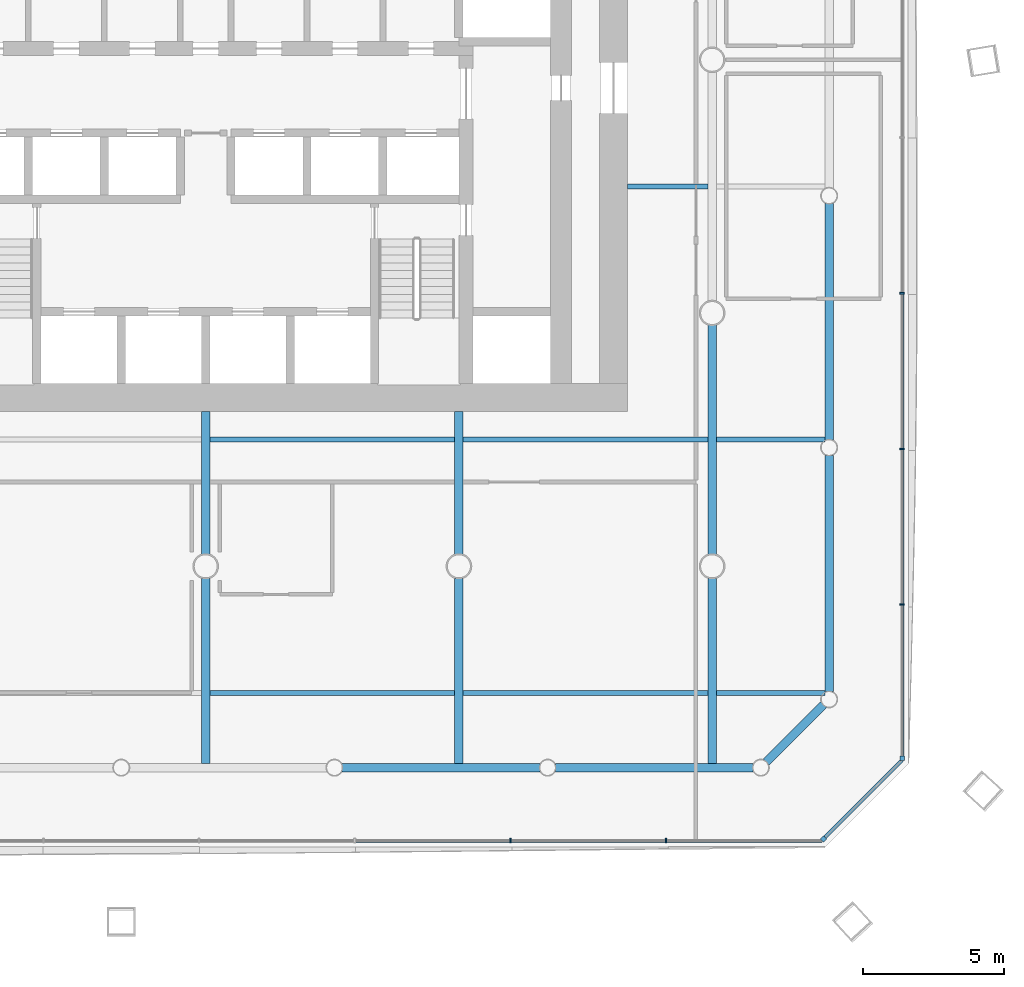
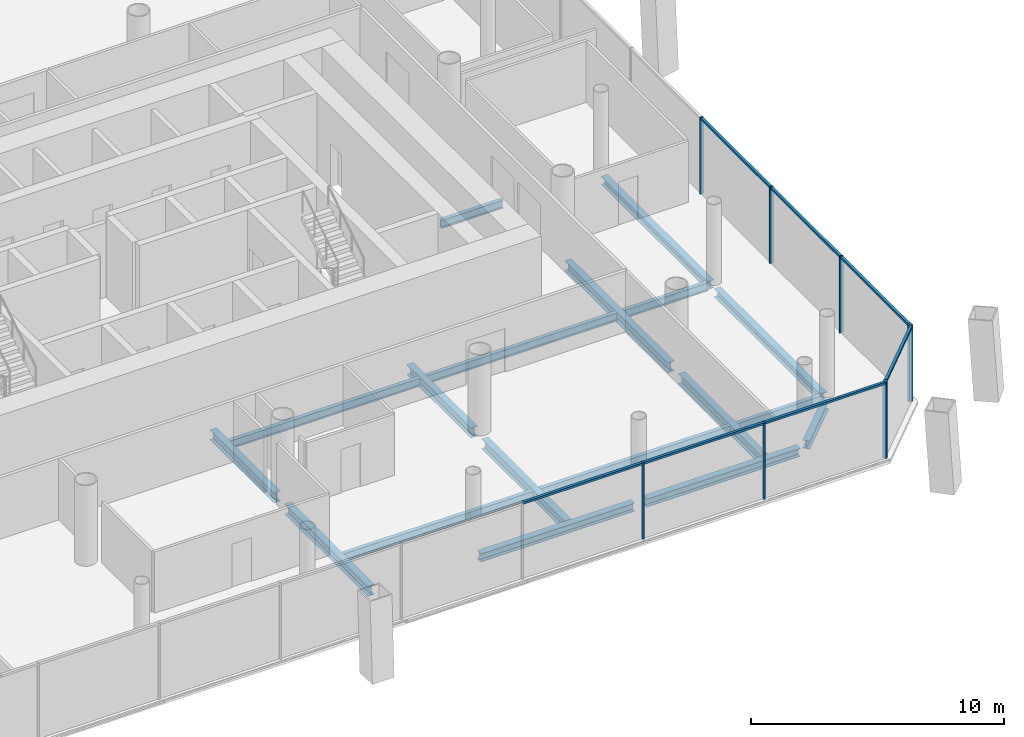
# One storey, part 6 of 23: 18 beams, 14 members, 3 elements without a shape of their own.
"""IFC4 building model written with IfcOpenShell, lengths in metres."""

from ifc_helpers import new_model, si_unit, direction, frame, origin, origin_2d, place, context, subcontext, project, spatial, rectangle, i_section, extrude, material, material_profile, profile_set, type_object, element, aggregate, save


model = new_model("IFC4")

# Units and contexts
model_context = context("Model", 3, precision=1e-05, world=origin(), true_north=direction((0.0, 1.0)))
body_context = subcontext(model_context, "Body", "Model", "MODEL_VIEW")
ifc_project = project(units=[si_unit("LENGTHUNIT", "METRE"), si_unit("AREAUNIT", "SQUARE_METRE"), si_unit("VOLUMEUNIT", "CUBIC_METRE"), si_unit("PLANEANGLEUNIT", "RADIAN"), si_unit("MASSUNIT", "GRAM", prefix="KILO")], contexts=[model_context])

# Site, building, storey
site_placement = place(None, origin())
site = spatial("IfcSite", under=ifc_project, at=site_placement, CompositionType="ELEMENT")
building_placement = place(site_placement, origin())
building = spatial("IfcBuilding", under=site, at=building_placement, Name="Tskaro Facet Tower", CompositionType="ELEMENT")
storey_placement = place(building_placement, frame((0.0, 0.0, 14.699951171875)))
storey = spatial("IfcBuildingStorey", under=building, at=storey_placement, Name="L02", CompositionType="ELEMENT", Elevation=14.699951171875)

# Curtain wall, member
ifc_material_1 = material(Name="Bronze anodised aluminium 6063-T6", Category="aluminium")
curtain_wall_type = type_object("IfcCurtainWallType", Name="Bronze office curtain wall (FW1)", PredefinedType="NOTDEFINED", material=ifc_material_1)
curtain_wall_1_placement = place(storey_placement, origin())
curtain_wall_1 = element("IfcCurtainWall", 1, at=curtain_wall_1_placement, inside=storey, type_object=curtain_wall_type, Name="FW1 south-east facet L02", PredefinedType="NOTDEFINED")
ifc_material_profile_1 = material_profile(ifc_material_1, rectangle(XDim=0.159912109375, YDim=0.159912109375, at=origin_2d()), Name="Corner post 160x160")
ifc_profile_set_1 = profile_set([ifc_material_profile_1], Name="Bronze anodised aluminium 6063-T6")
member_type_1 = type_object("IfcMemberType", Name="FW1 bronze corner post 160x160", PredefinedType="MULLION", material=ifc_profile_set_1)
member_1_placement = place(storey_placement, frame((21.95263671875, -27.693359375, 0.0), z_axis=(0.0, 0.0, 1.0), x_axis=(0.707106781187, 0.707106781187, 0.0)))
member_1 = element("IfcMember", 2, at=member_1_placement, type_object=member_type_1, Name="FW1 south-east corner post", PredefinedType="MULLION", context=body_context, shape_type="SweptSolid", body=[
    extrude(rectangle(XDim=0.159912109375, YDim=0.159912109375, at=origin_2d()), origin(), (0.0, 0.0, 1.0), 3.699951171875),
])

curtain_wall_2_placement = place(storey_placement, origin())
curtain_wall_2 = element("IfcCurtainWall", 3, at=curtain_wall_2_placement, inside=storey, type_object=curtain_wall_type, Name="FW1 east facet L02", PredefinedType="NOTDEFINED")
member_2_placement = place(storey_placement, frame((24.75, -24.81591796875, 0.0), z_axis=(0.0, 0.0, 1.0), x_axis=(0.0, 1.0, 0.0)))
member_2 = element("IfcMember", 4, at=member_2_placement, type_object=member_type_1, Name="FW1 east corner post", PredefinedType="MULLION", context=body_context, shape_type="SweptSolid", body=[
    extrude(rectangle(XDim=0.159912109375, YDim=0.159912109375, at=origin_2d()), origin(), (0.0, 0.0, 1.0), 3.699951171875),
])

# Curtain wall, members
curtain_wall_3_placement = place(storey_placement, origin())
curtain_wall_3 = element("IfcCurtainWall", 5, at=curtain_wall_3_placement, inside=storey, type_object=curtain_wall_type, Name="FW1 south facet L02", PredefinedType="NOTDEFINED")
ifc_material_profile_2 = material_profile(ifc_material_1, rectangle(XDim=0.06005859375, YDim=0.159912109375, at=origin_2d()), Name="Mullion 60x160")
ifc_profile_set_2 = profile_set([ifc_material_profile_2], Name="Bronze anodised aluminium 6063-T6")
member_type_2 = type_object("IfcMemberType", Name="FW1 bronze mullion 60x160", PredefinedType="MULLION", material=ifc_profile_set_2)
member_3_placement = place(storey_placement, frame((10.8310546875, -27.75, 0.0), z_axis=(0.0, 0.0, 1.0), x_axis=(1.0, 0.0, 0.0)))
member_3 = element("IfcMember", 6, at=member_3_placement, type_object=member_type_2, Name="FW1 south mullion 7", PredefinedType="MULLION", context=body_context, shape_type="SweptSolid", body=[
    extrude(rectangle(XDim=0.06005859375, YDim=0.159912109375, at=origin_2d()), origin(), (0.0, 0.0, 1.0), 3.699951171875),
])
member_4_placement = place(storey_placement, frame((16.363525390625, -27.75, 0.0), z_axis=(0.0, 0.0, 1.0), x_axis=(1.0, 0.0, 0.0)))
member_4 = element("IfcMember", 7, at=member_4_placement, type_object=member_type_2, Name="FW1 south mullion 8", PredefinedType="MULLION", context=body_context, shape_type="SweptSolid", body=[
    extrude(rectangle(XDim=0.06005859375, YDim=0.159912109375, at=origin_2d()), origin(), (0.0, 0.0, 1.0), 3.699951171875),
])

# Member
member_5_placement = place(storey_placement, frame((24.75, -19.363525390625, 0.0), z_axis=(0.0, 0.0, 1.0), x_axis=(0.0, 1.0, 0.0)))
member_5 = element("IfcMember", 8, at=member_5_placement, type_object=member_type_2, Name="FW1 east mullion 1", PredefinedType="MULLION", context=body_context, shape_type="SweptSolid", body=[
    extrude(rectangle(XDim=0.06005859375, YDim=0.159912109375, at=origin_2d()), origin(), (0.0, 0.0, 1.0), 3.699951171875),
])

member_6_placement = place(storey_placement, frame((24.75, -13.8310546875, 0.0), z_axis=(0.0, 0.0, 1.0), x_axis=(0.0, 1.0, 0.0)))
member_6 = element("IfcMember", 9, at=member_6_placement, type_object=member_type_2, Name="FW1 east mullion 2", PredefinedType="MULLION", context=body_context, shape_type="SweptSolid", body=[
    extrude(rectangle(XDim=0.06005859375, YDim=0.159912109375, at=origin_2d()), origin(), (0.0, 0.0, 1.0), 3.699951171875),
])

member_7_placement = place(storey_placement, frame((24.75, -8.298583984375, 0.0), z_axis=(0.0, 0.0, 1.0), x_axis=(0.0, 1.0, 0.0)))
member_7 = element("IfcMember", 10, at=member_7_placement, type_object=member_type_2, Name="FW1 east mullion 3", PredefinedType="MULLION", context=body_context, shape_type="SweptSolid", body=[
    extrude(rectangle(XDim=0.06005859375, YDim=0.159912109375, at=origin_2d()), origin(), (0.0, 0.0, 1.0), 3.699951171875),
])

ifc_material_profile_3 = material_profile(ifc_material_1, rectangle(XDim=0.1201171875, YDim=0.10009765625, at=origin_2d()), Name="Transom 120x100")
ifc_profile_set_3 = profile_set([ifc_material_profile_3], Name="Bronze anodised aluminium 6063-T6")
member_type_3 = type_object("IfcMemberType", Name="FW1 bronze transom 120x100", PredefinedType="USERDEFINED", material=ifc_profile_set_3)
member_8_placement = place(storey_placement, frame((5.32861328125, -27.75, 3.650146484375), z_axis=(1.0, 0.0, 0.0), x_axis=(0.0, 1.0, 0.0)))
member_8 = element("IfcMember", 11, at=member_8_placement, type_object=member_type_3, Name="FW1 south transom 7.1", ObjectType="TRANSOM", PredefinedType="USERDEFINED", context=body_context, shape_type="SweptSolid", body=[
    extrude(rectangle(XDim=0.1201171875, YDim=0.10009765625, at=origin_2d()), origin(), (0.0, 0.0, 1.0), 5.472412109375),
])

member_9_placement = place(storey_placement, frame((10.861083984375, -27.75, 3.650146484375), z_axis=(1.0, 0.0, 0.0), x_axis=(0.0, 1.0, 0.0)))
member_9 = element("IfcMember", 12, at=member_9_placement, type_object=member_type_3, Name="FW1 south transom 8.1", ObjectType="TRANSOM", PredefinedType="USERDEFINED", context=body_context, shape_type="SweptSolid", body=[
    extrude(rectangle(XDim=0.1201171875, YDim=0.10009765625, at=origin_2d()), origin(), (0.0, 0.0, 1.0), 5.472412109375),
])

member_10_placement = place(storey_placement, frame((16.3935546875, -27.75, 3.650146484375), z_axis=(1.0, 0.0, 0.0), x_axis=(0.0, 1.0, 0.0)))
member_10 = element("IfcMember", 13, at=member_10_placement, type_object=member_type_3, Name="FW1 south transom 9.1", ObjectType="TRANSOM", PredefinedType="USERDEFINED", context=body_context, shape_type="SweptSolid", body=[
    extrude(rectangle(XDim=0.1201171875, YDim=0.10009765625, at=origin_2d()), origin(), (0.0, 0.0, 1.0), 5.50244140625),
])

aggregate(curtain_wall_3, [member_3, member_4, member_8, member_9, member_10])

member_11_placement = place(storey_placement, frame((22.009033203125, -27.636962890625, 3.650146484375), z_axis=(0.707106781187, 0.707106781187, 0.0), x_axis=(-0.707106781187, 0.707106781187, 0.0)))
member_11 = element("IfcMember", 14, at=member_11_placement, type_object=member_type_3, Name="FW1 south-east transom 1.1", ObjectType="TRANSOM", PredefinedType="USERDEFINED", context=body_context, shape_type="SweptSolid", body=[
    extrude(rectangle(XDim=0.1201171875, YDim=0.10009765625, at=origin_2d()), origin(), (0.0, 0.0, 1.0), 3.876220703125),
])

aggregate(curtain_wall_1, [member_1, member_11])

member_12_placement = place(storey_placement, frame((24.75, -24.736083984375, 3.650146484375), z_axis=(0.0, 1.0, 0.0), x_axis=(-1.0, 0.0, 0.0)))
member_12 = element("IfcMember", 15, at=member_12_placement, type_object=member_type_3, Name="FW1 east transom 1.1", ObjectType="TRANSOM", PredefinedType="USERDEFINED", context=body_context, shape_type="SweptSolid", body=[
    extrude(rectangle(XDim=0.1201171875, YDim=0.10009765625, at=origin_2d()), origin(), (0.0, 0.0, 1.0), 5.342529296875),
])

member_13_placement = place(storey_placement, frame((24.75, -19.33349609375, 3.650146484375), z_axis=(0.0, 1.0, 0.0), x_axis=(-1.0, 0.0, 0.0)))
member_13 = element("IfcMember", 16, at=member_13_placement, type_object=member_type_3, Name="FW1 east transom 2.1", ObjectType="TRANSOM", PredefinedType="USERDEFINED", context=body_context, shape_type="SweptSolid", body=[
    extrude(rectangle(XDim=0.1201171875, YDim=0.10009765625, at=origin_2d()), origin(), (0.0, 0.0, 1.0), 5.472412109375),
])

member_14_placement = place(storey_placement, frame((24.75, -13.801025390625, 3.650146484375), z_axis=(0.0, 1.0, 0.0), x_axis=(-1.0, 0.0, 0.0)))
member_14 = element("IfcMember", 17, at=member_14_placement, type_object=member_type_3, Name="FW1 east transom 3.1", ObjectType="TRANSOM", PredefinedType="USERDEFINED", context=body_context, shape_type="SweptSolid", body=[
    extrude(rectangle(XDim=0.1201171875, YDim=0.10009765625, at=origin_2d()), origin(), (0.0, 0.0, 1.0), 5.472412109375),
])

aggregate(curtain_wall_2, [member_2, member_5, member_6, member_7, member_12, member_13, member_14])

# Beams
ifc_material_2 = material(Name="Steel S355J2", Category="steel")
ifc_material_profile_4 = material_profile(ifc_material_2, i_section(OverallWidth=0.300048828125, OverallDepth=0.39990234375, WebThickness=0.013427734375, FlangeThickness=0.02392578125, FilletRadius=0.027099609375, at=origin_2d()), Name="HE 400 B")
ifc_profile_set_4 = profile_set([ifc_material_profile_4], Name="Steel S355J2")
beam_type_1 = type_object("IfcBeamType", Name="HE 400 B ring beam", PredefinedType="BEAM", material=ifc_profile_set_4)
beam_1_placement = place(storey_placement, frame((4.85107421875, -25.156982421875, -0.33984375), z_axis=(1.0, 0.0, 0.0), x_axis=(0.0, 1.0, 0.0)))
element("IfcBeam", 18, at=beam_1_placement, inside=storey, type_object=beam_type_1, Name="HE 400 B EB5-1", PredefinedType="BEAM", context=body_context, shape_type="SweptSolid", body=[
    extrude(i_section(OverallWidth=0.300048828125, OverallDepth=0.39990234375, WebThickness=0.013427734375, FlangeThickness=0.02392578125, FilletRadius=0.027099609375, at=origin_2d()), origin(), (0.0, 0.0, 1.0), 7.02685546875),
])
beam_2_placement = place(storey_placement, frame((12.427978515625, -25.156982421875, -0.33984375), z_axis=(1.0, 0.0, 0.0), x_axis=(0.0, 1.0, 0.0)))
element("IfcBeam", 19, at=beam_2_placement, inside=storey, type_object=beam_type_1, Name="HE 400 B EB6-1", PredefinedType="BEAM", context=body_context, shape_type="SweptSolid", body=[
    extrude(i_section(OverallWidth=0.300048828125, OverallDepth=0.39990234375, WebThickness=0.013427734375, FlangeThickness=0.02392578125, FilletRadius=0.027099609375, at=origin_2d()), origin(), (0.0, 0.0, 1.0), 7.026123046875),
])
beam_3_placement = place(storey_placement, frame((19.92333984375, -24.962646484375, -0.33984375), z_axis=(0.707106781187, 0.707106781187, 0.0), x_axis=(-0.707106781187, 0.707106781187, 0.0)))
element("IfcBeam", 20, at=beam_3_placement, inside=storey, type_object=beam_type_1, Name="HE 400 B EB7-1", PredefinedType="BEAM", context=body_context, shape_type="SweptSolid", body=[
    extrude(i_section(OverallWidth=0.300048828125, OverallDepth=0.39990234375, WebThickness=0.013427734375, FlangeThickness=0.02392578125, FilletRadius=0.027099609375, at=origin_2d()), origin(), (0.0, 0.0, 1.0), 2.884033203125),
])
for number, where, z_axis, x_axis, name in (
    (21, (22.156982421875, -22.4541015625, -0.33984375), (0.0, 1.0, 0.0), (-1.0, 0.0, 0.0), "HE 400 B EB8-1"),
    (22, (22.156982421875, -13.506103515625, -0.33984375), (0.0, 1.0, 0.0), (-1.0, 0.0, 0.0), "HE 400 B EB9-1"),
):
    element("IfcBeam", number, at=place(storey_placement, frame(where, z_axis=z_axis, x_axis=x_axis)), inside=storey, type_object=beam_type_1, Name=name, PredefinedType="BEAM", context=body_context, shape_type="SweptSolid", body=[
        extrude(i_section(OverallWidth=0.300048828125, OverallDepth=0.39990234375, WebThickness=0.013427734375, FlangeThickness=0.02392578125, FilletRadius=0.027099609375, at=origin_2d()), origin(), (0.0, 0.0, 1.0), 8.398193359375),
    ])
ifc_material_profile_5 = material_profile(ifc_material_2, i_section(OverallWidth=0.300048828125, OverallDepth=0.489990234375, WebThickness=0.011962890625, FlangeThickness=0.02294921875, FilletRadius=0.027099609375, at=origin_2d()), Name="HE 500 A")
ifc_profile_set_5 = profile_set([ifc_material_profile_5], Name="Steel S355J2")
beam_type_2 = type_object("IfcBeamType", Name="HE 500 A girder", PredefinedType="BEAM", material=ifc_profile_set_5)
beam_4_placement = place(storey_placement, frame((0.0, -25.007080078125, -0.385009765625), z_axis=(0.0, 1.0, 0.0), x_axis=(-1.0, 0.0, 0.0)))
element("IfcBeam", 23, at=beam_4_placement, inside=storey, type_object=beam_type_2, Name="HE 500 A GB4-1-1", PredefinedType="BEAM", context=body_context, shape_type="SweptSolid", body=[
    extrude(i_section(OverallWidth=0.300048828125, OverallDepth=0.489990234375, WebThickness=0.011962890625, FlangeThickness=0.02294921875, FilletRadius=0.027099609375, at=origin_2d()), origin(), (0.0, 0.0, 1.0), 6.579833984375),
])
beam_5_placement = place(storey_placement, frame((0.0, -17.57275390625, -0.385009765625), z_axis=(0.0, 1.0, 0.0), x_axis=(-1.0, 0.0, 0.0)))
element("IfcBeam", 24, at=beam_5_placement, inside=storey, type_object=beam_type_2, Name="HE 500 A GB4-2-1", PredefinedType="BEAM", context=body_context, shape_type="SweptSolid", body=[
    extrude(i_section(OverallWidth=0.300048828125, OverallDepth=0.489990234375, WebThickness=0.011962890625, FlangeThickness=0.02294921875, FilletRadius=0.027099609375, at=origin_2d()), origin(), (0.0, 0.0, 1.0), 5.07275390625),
])
beam_6_placement = place(storey_placement, frame((9.0, -25.007080078125, -0.385009765625), z_axis=(0.0, 1.0, 0.0), x_axis=(-1.0, 0.0, 0.0)))
element("IfcBeam", 25, at=beam_6_placement, inside=storey, type_object=beam_type_2, Name="HE 500 A GB5-1-1", PredefinedType="BEAM", context=body_context, shape_type="SweptSolid", body=[
    extrude(i_section(OverallWidth=0.300048828125, OverallDepth=0.489990234375, WebThickness=0.011962890625, FlangeThickness=0.02294921875, FilletRadius=0.027099609375, at=origin_2d()), origin(), (0.0, 0.0, 1.0), 6.579833984375),
])
beam_7_placement = place(storey_placement, frame((9.0, -17.57275390625, -0.385009765625), z_axis=(0.0, 1.0, 0.0), x_axis=(-1.0, 0.0, 0.0)))
element("IfcBeam", 26, at=beam_7_placement, inside=storey, type_object=beam_type_2, Name="HE 500 A GB5-2-1", PredefinedType="BEAM", context=body_context, shape_type="SweptSolid", body=[
    extrude(i_section(OverallWidth=0.300048828125, OverallDepth=0.489990234375, WebThickness=0.011962890625, FlangeThickness=0.02294921875, FilletRadius=0.027099609375, at=origin_2d()), origin(), (0.0, 0.0, 1.0), 5.07275390625),
])
beam_8_placement = place(storey_placement, frame((18.0, -25.007080078125, -0.385009765625), z_axis=(0.0, 1.0, 0.0), x_axis=(-1.0, 0.0, 0.0)))
element("IfcBeam", 27, at=beam_8_placement, inside=storey, type_object=beam_type_2, Name="HE 500 A GB6-1-1", PredefinedType="BEAM", context=body_context, shape_type="SweptSolid", body=[
    extrude(i_section(OverallWidth=0.300048828125, OverallDepth=0.489990234375, WebThickness=0.011962890625, FlangeThickness=0.02294921875, FilletRadius=0.027099609375, at=origin_2d()), origin(), (0.0, 0.0, 1.0), 6.579833984375),
])
beam_9_placement = place(storey_placement, frame((18.0, -17.57275390625, -0.385009765625), z_axis=(0.0, 1.0, 0.0), x_axis=(-1.0, 0.0, 0.0)))
element("IfcBeam", 28, at=beam_9_placement, inside=storey, type_object=beam_type_2, Name="HE 500 A GB6-2-1", PredefinedType="BEAM", context=body_context, shape_type="SweptSolid", body=[
    extrude(i_section(OverallWidth=0.300048828125, OverallDepth=0.489990234375, WebThickness=0.011962890625, FlangeThickness=0.02294921875, FilletRadius=0.027099609375, at=origin_2d()), origin(), (0.0, 0.0, 1.0), 8.1455078125),
])
ifc_material_profile_6 = material_profile(ifc_material_2, i_section(OverallWidth=0.179931640625, OverallDepth=0.39990234375, WebThickness=0.008544921875, FlangeThickness=0.013427734375, FilletRadius=0.02099609375, at=origin_2d()), Name="IPE 400")
ifc_profile_set_6 = profile_set([ifc_material_profile_6], Name="Steel S355J2")
beam_type_3 = type_object("IfcBeamType", Name="IPE 400 secondary beam", PredefinedType="BEAM", material=ifc_profile_set_6)
for number, where, z_axis, x_axis, name in (
    (29, (0.14990234375, -22.5, -0.33984375), (1.0, 0.0, 0.0), (0.0, 1.0, 0.0), "IPE 400 SB1a-4-1"),
    (30, (9.14990234375, -22.5, -0.33984375), (1.0, 0.0, 0.0), (0.0, 1.0, 0.0), "IPE 400 SB1a-5-1"),
):
    element("IfcBeam", number, at=place(storey_placement, frame(where, z_axis=z_axis, x_axis=x_axis)), inside=storey, type_object=beam_type_3, Name=name, PredefinedType="BEAM", context=body_context, shape_type="SweptSolid", body=[
        extrude(i_section(OverallWidth=0.179931640625, OverallDepth=0.39990234375, WebThickness=0.008544921875, FlangeThickness=0.013427734375, FilletRadius=0.02099609375, at=origin_2d()), origin(), (0.0, 0.0, 1.0), 8.7001953125),
    ])
beam_10_placement = place(storey_placement, frame((18.14990234375, -22.5, -0.33984375), z_axis=(1.0, 0.0, 0.0), x_axis=(0.0, 1.0, 0.0)))
element("IfcBeam", 31, at=beam_10_placement, inside=storey, type_object=beam_type_3, Name="IPE 400 SB1a-6-1", PredefinedType="BEAM", context=body_context, shape_type="SweptSolid", body=[
    extrude(i_section(OverallWidth=0.179931640625, OverallDepth=0.39990234375, WebThickness=0.008544921875, FlangeThickness=0.013427734375, FilletRadius=0.02099609375, at=origin_2d()), origin(), (0.0, 0.0, 1.0), 3.857177734375),
])
for number, where, z_axis, x_axis, name in (
    (32, (0.14990234375, -13.5, -0.33984375), (1.0, 0.0, 0.0), (0.0, 1.0, 0.0), "IPE 400 SB2a-4-1"),
    (33, (9.14990234375, -13.5, -0.33984375), (1.0, 0.0, 0.0), (0.0, 1.0, 0.0), "IPE 400 SB2a-5-1"),
):
    element("IfcBeam", number, at=place(storey_placement, frame(where, z_axis=z_axis, x_axis=x_axis)), inside=storey, type_object=beam_type_3, Name=name, PredefinedType="BEAM", context=body_context, shape_type="SweptSolid", body=[
        extrude(i_section(OverallWidth=0.179931640625, OverallDepth=0.39990234375, WebThickness=0.008544921875, FlangeThickness=0.013427734375, FilletRadius=0.02099609375, at=origin_2d()), origin(), (0.0, 0.0, 1.0), 8.7001953125),
    ])
beam_11_placement = place(storey_placement, frame((18.14990234375, -13.5, -0.33984375), z_axis=(1.0, 0.0, 0.0), x_axis=(0.0, 1.0, 0.0)))
element("IfcBeam", 34, at=beam_11_placement, inside=storey, type_object=beam_type_3, Name="IPE 400 SB2a-6-1", PredefinedType="BEAM", context=body_context, shape_type="SweptSolid", body=[
    extrude(i_section(OverallWidth=0.179931640625, OverallDepth=0.39990234375, WebThickness=0.008544921875, FlangeThickness=0.013427734375, FilletRadius=0.02099609375, at=origin_2d()), origin(), (0.0, 0.0, 1.0), 3.857177734375),
])
beam_12_placement = place(storey_placement, frame((15.0, -4.5, -0.33984375), z_axis=(1.0, 0.0, 0.0), x_axis=(0.0, 1.0, 0.0)))
element("IfcBeam", 35, at=beam_12_placement, inside=storey, type_object=beam_type_3, Name="IPE 400 SB3a-3-1", PredefinedType="BEAM", context=body_context, shape_type="SweptSolid", body=[
    extrude(i_section(OverallWidth=0.179931640625, OverallDepth=0.39990234375, WebThickness=0.008544921875, FlangeThickness=0.013427734375, FilletRadius=0.02099609375, at=origin_2d()), origin(), (0.0, 0.0, 1.0), 2.85009765625),
])

save(model, "model.ifc")
